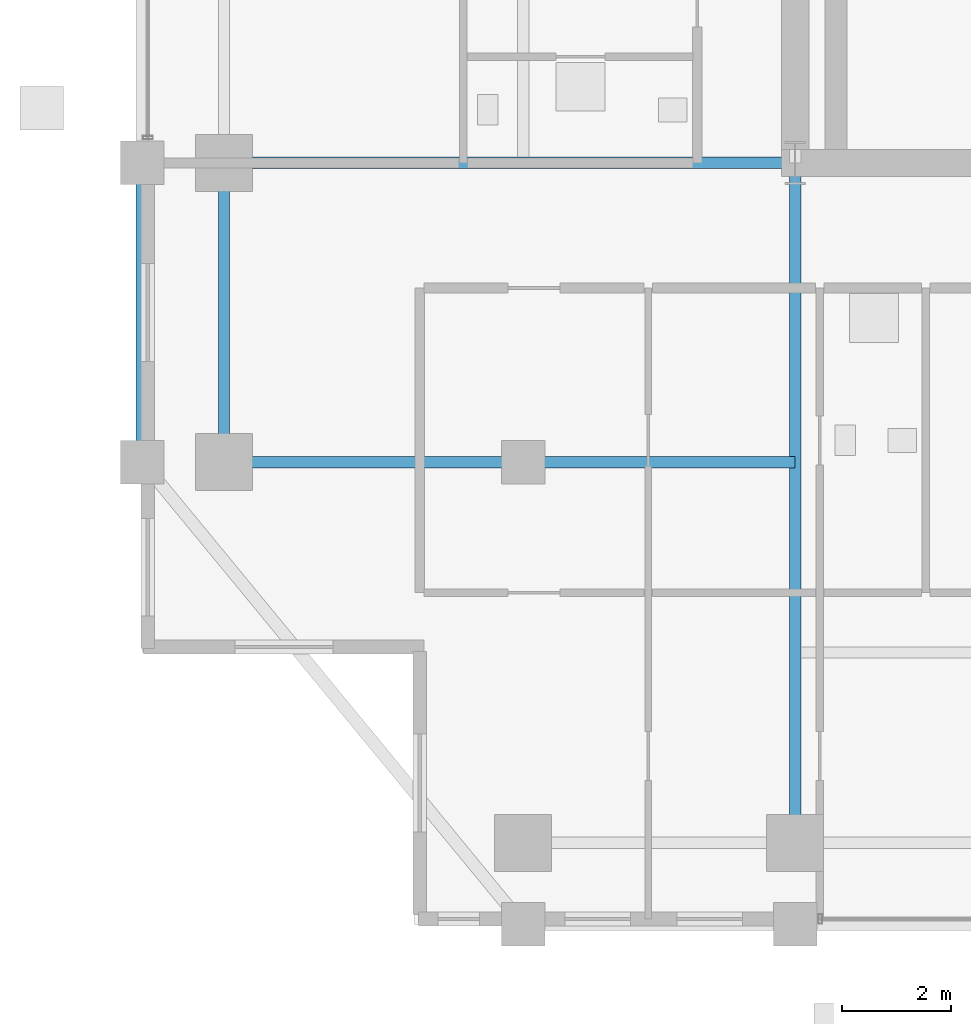
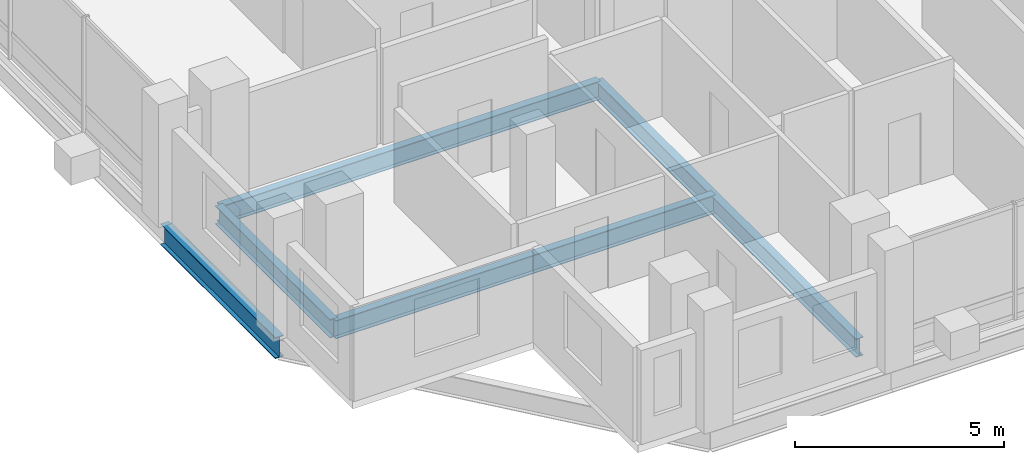
# One storey, part 3 of 24: 6 beams.
"""IFC4 building model written with IfcOpenShell, lengths in metres."""

from ifc_helpers import new_model, si_unit, direction, frame, origin, origin_2d, place, context, subcontext, project, spatial, i_section, extrude, material, material_profile, profile_set, type_object, element, save


model = new_model("IFC4")

# Units and contexts
model_context = context("Model", 3, precision=1e-05, world=origin(), true_north=direction((0.0, 1.0)))
body_context = subcontext(model_context, "Body", "Model", "MODEL_VIEW")
ifc_project = project(units=[si_unit("LENGTHUNIT", "METRE"), si_unit("AREAUNIT", "SQUARE_METRE"), si_unit("VOLUMEUNIT", "CUBIC_METRE"), si_unit("PLANEANGLEUNIT", "RADIAN"), si_unit("MASSUNIT", "GRAM", prefix="KILO")], contexts=[model_context])

# Site, building, storey
site_placement = place(None, origin())
site = spatial("IfcSite", under=ifc_project, at=site_placement, CompositionType="ELEMENT")
building_placement = place(site_placement, origin())
building = spatial("IfcBuilding", under=site, at=building_placement, Name="Barlavira Tower and Art Museum", CompositionType="ELEMENT")
storey_placement = place(building_placement, frame((0.0, 0.0, 169.199951171875)))
storey = spatial("IfcBuildingStorey", under=building, at=storey_placement, Name="L43", CompositionType="ELEMENT", Elevation=169.199951171875)

# Beams
ifc_material = material(Name="Steel S355", Category="steel")
ifc_material_profile_1 = material_profile(ifc_material, i_section(OverallWidth=0.22998046875, OverallDepth=0.616943359375, WebThickness=0.01318359375, FlangeThickness=0.022216796875, at=origin_2d()), Name="W610x140.0")
ifc_profile_set_1 = profile_set([ifc_material_profile_1], Name="Steel S355")
beam_type_1 = type_object("IfcBeamType", Name="Upper Shaft Spandrel Edge Beam W610x140 Steel S355", PredefinedType="SPANDREL", material=ifc_profile_set_1)
beam_1_placement = place(storey_placement, frame((-18.5, -13.0, -0.528564453125), z_axis=(0.0, 1.0, 0.0), x_axis=(-1.0, 0.0, 0.0)))
element("IfcBeam", 1, at=beam_1_placement, inside=storey, type_object=beam_type_1, Name="L43 Spandrel 15", PredefinedType="SPANDREL", context=body_context, shape_type="SweptSolid", body=[
    extrude(i_section(OverallWidth=0.22998046875, OverallDepth=0.616943359375, WebThickness=0.01318359375, FlangeThickness=0.022216796875, at=origin_2d()), origin(), (0.0, 0.0, 1.0), 5.5),
])
ifc_material_profile_2 = material_profile(ifc_material, i_section(OverallWidth=0.2109375, OverallDepth=0.5390625, WebThickness=0.01171875, FlangeThickness=0.018798828125, at=origin_2d()), Name="W530x109.0")
ifc_profile_set_2 = profile_set([ifc_material_profile_2], Name="Steel S355")
beam_type_2 = type_object("IfcBeamType", Name="Zone 3-4 Primary Floor Girder W530x109 Steel S355", PredefinedType="BEAM", material=ifc_profile_set_2)
beam_2_placement = place(storey_placement, frame((-17.0, -13.0, -0.489501953125), z_axis=(0.0, 1.0, 0.0), x_axis=(-1.0, 0.0, 0.0)))
element("IfcBeam", 2, at=beam_2_placement, inside=storey, type_object=beam_type_2, Name="L43 Girder M-W1", PredefinedType="BEAM", context=body_context, shape_type="SweptSolid", body=[
    extrude(i_section(OverallWidth=0.2109375, OverallDepth=0.5390625, WebThickness=0.01171875, FlangeThickness=0.018798828125, at=origin_2d()), origin(), (0.0, 0.0, 1.0), 5.5),
])
beam_3_placement = place(storey_placement, frame((-6.5, -20.0, -0.489501953125), z_axis=(0.0, 1.0, 0.0), x_axis=(-1.0, 0.0, 0.0)))
element("IfcBeam", 3, at=beam_3_placement, inside=storey, type_object=beam_type_2, Name="L43 Girder R-S1", PredefinedType="BEAM", context=body_context, shape_type="SweptSolid", body=[
    extrude(i_section(OverallWidth=0.2109375, OverallDepth=0.5390625, WebThickness=0.01171875, FlangeThickness=0.018798828125, at=origin_2d()), origin(), (0.0, 0.0, 1.0), 12.5),
])
beam_4_placement = place(storey_placement, frame((-17.0, -7.5, -0.489501953125), z_axis=(1.0, 0.0, 0.0), x_axis=(0.0, 1.0, 0.0)))
element("IfcBeam", 4, at=beam_4_placement, inside=storey, type_object=beam_type_2, Name="L43 Girder R-W1", PredefinedType="BEAM", context=body_context, shape_type="SweptSolid", body=[
    extrude(i_section(OverallWidth=0.2109375, OverallDepth=0.5390625, WebThickness=0.01171875, FlangeThickness=0.018798828125, at=origin_2d()), origin(), (0.0, 0.0, 1.0), 10.5),
])
beam_5_placement = place(storey_placement, frame((-17.0, -13.0, -0.489501953125), z_axis=(1.0, 0.0, 0.0), x_axis=(0.0, 1.0, 0.0)))
element("IfcBeam", 5, at=beam_5_placement, inside=storey, type_object=beam_type_2, Name="L43 Girder I-S1", PredefinedType="BEAM", context=body_context, shape_type="SweptSolid", body=[
    extrude(i_section(OverallWidth=0.2109375, OverallDepth=0.5390625, WebThickness=0.01171875, FlangeThickness=0.018798828125, at=origin_2d()), origin(), (0.0, 0.0, 1.0), 5.5),
])
beam_6_placement = place(storey_placement, frame((-11.5, -13.0, -0.489501953125), z_axis=(1.0, 0.0, 0.0), x_axis=(0.0, 1.0, 0.0)))
element("IfcBeam", 6, at=beam_6_placement, inside=storey, type_object=beam_type_2, Name="L43 Girder I-S2", PredefinedType="BEAM", context=body_context, shape_type="SweptSolid", body=[
    extrude(i_section(OverallWidth=0.2109375, OverallDepth=0.5390625, WebThickness=0.01171875, FlangeThickness=0.018798828125, at=origin_2d()), origin(), (0.0, 0.0, 1.0), 5.0),
])

save(model, "model.ifc")
